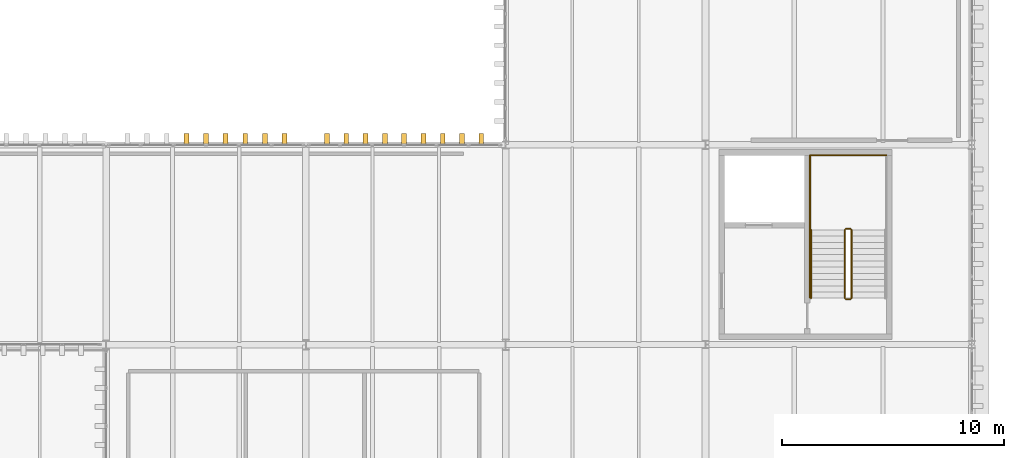
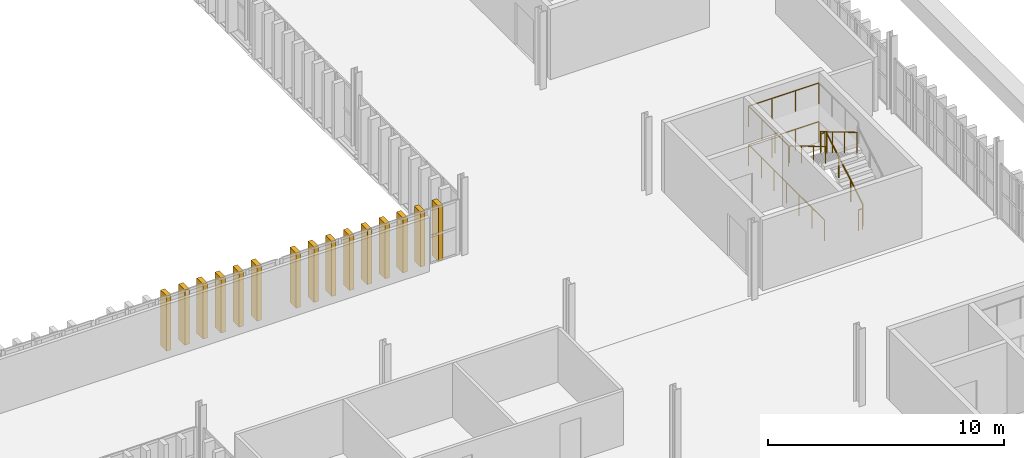
# One storey, part 97 of 102: 15 shading devices, 9 railings.
"""IFC4 building model written with IfcOpenShell, lengths in metres."""

from ifc_helpers import new_model, si_unit, direction, frame, origin, origin_2d, place, context, subcontext, project, spatial, rectangle, circle, extrude, material, type_object, element, save


model = new_model("IFC4")

# Units and contexts
model_context = context("Model", 3, precision=1e-05, world=origin(), true_north=direction((0.0, 1.0)))
body_context = subcontext(model_context, "Body", "Model", "MODEL_VIEW")
ifc_project = project(units=[si_unit("LENGTHUNIT", "METRE"), si_unit("AREAUNIT", "SQUARE_METRE"), si_unit("VOLUMEUNIT", "CUBIC_METRE"), si_unit("PLANEANGLEUNIT", "RADIAN"), si_unit("MASSUNIT", "GRAM", prefix="KILO")], contexts=[model_context])

# Site, building, storey
site_placement = place(None, origin())
site = spatial("IfcSite", under=ifc_project, at=site_placement, CompositionType="ELEMENT")
building_placement = place(site_placement, origin())
building = spatial("IfcBuilding", under=site, at=building_placement, Name="Barlavento Convention Centre", CompositionType="ELEMENT")
storey_placement = place(building_placement, frame((0.0, 0.0, 22.800048828125)))
storey = spatial("IfcBuildingStorey", under=building, at=storey_placement, Name="L04", CompositionType="ELEMENT", Elevation=22.800048828125)

# Railings
ifc_material_1 = material(Name="Stainless steel and laminated glass balustrade", Category="steel")
railing_type_1 = type_object("IfcRailingType", Name="ARC-RAL-BAL-1100", PredefinedType="BALUSTRADE", material=ifc_material_1)
railing_1_placement = place(storey_placement, frame((186.580078125, 56.090087890625, 0.16650390625)))
element("IfcRailing", 1, at=railing_1_placement, inside=storey, type_object=railing_type_1, Name="L04 ST05 stair guard 1", PredefinedType="BALUSTRADE", context=body_context, shape_type="SweptSolid", body=[
    extrude(circle(Radius=0.02392578125, at=origin_2d()), frame((0.0, 0.0, 1.076171875), z_axis=(0.0, 0.859260807169, 0.511537745687), x_axis=(-1.0, 0.0, 0.0)), (0.0, 0.0, 1.0), 3.584228515625),
    extrude(circle(Radius=0.02099609375, at=origin_2d()), origin(), (0.0, 0.0, 1.0), 1.052001953125),
    extrude(circle(Radius=0.02099609375, at=origin_2d()), frame((0.0, 1.026611328125, 0.611083984375)), (0.0, 0.0, 1.0), 1.052001953125),
    extrude(circle(Radius=0.02099609375, at=origin_2d()), frame((0.0, 2.05322265625, 1.222412109375)), (0.0, 0.0, 1.0), 1.052001953125),
    extrude(circle(Radius=0.02099609375, at=origin_2d()), frame((0.0, 3.079833984375, 1.83349609375)), (0.0, 0.0, 1.0), 1.052001953125),
])
railing_2_placement = place(storey_placement, frame((186.530029296875, 59.219970703125, 2.0)))
element("IfcRailing", 2, at=railing_2_placement, inside=storey, type_object=railing_type_1, Name="L04 ST05 stair guard 2", PredefinedType="BALUSTRADE", context=body_context, shape_type="SweptSolid", body=[
    extrude(circle(Radius=0.02392578125, at=origin_2d()), frame((0.0, 0.0, 1.076171875), z_axis=(-1.0, 0.0, 0.0), x_axis=(0.0, -1.0, 0.0)), (0.0, 0.0, 1.0), 0.199951171875),
    extrude(circle(Radius=0.02099609375, at=origin_2d()), origin(), (0.0, 0.0, 1.0), 1.052001953125),
    extrude(circle(Radius=0.02099609375, at=origin_2d()), frame((-0.199951171875, 0.0, 0.0)), (0.0, 0.0, 1.0), 1.052001953125),
])
railing_3_placement = place(storey_placement, frame((186.280029296875, 59.169921875, 2.16650390625)))
element("IfcRailing", 3, at=railing_3_placement, inside=storey, type_object=railing_type_1, Name="L04 ST05 stair guard 3", PredefinedType="BALUSTRADE", context=body_context, shape_type="SweptSolid", body=[
    extrude(circle(Radius=0.02392578125, at=origin_2d()), frame((0.0, 0.0, 1.076171875), z_axis=(0.0, -0.859260807169, 0.511537745687), x_axis=(1.0, 0.0, 0.0)), (0.0, 0.0, 1.0), 3.584228515625),
    extrude(circle(Radius=0.02099609375, at=origin_2d()), origin(), (0.0, 0.0, 1.0), 1.052001953125),
    extrude(circle(Radius=0.02099609375, at=origin_2d()), frame((0.0, -1.026611328125, 0.611083984375)), (0.0, 0.0, 1.0), 1.052001953125),
    extrude(circle(Radius=0.02099609375, at=origin_2d()), frame((0.0, -2.05322265625, 1.222412109375)), (0.0, 0.0, 1.0), 1.052001953125),
    extrude(circle(Radius=0.02099609375, at=origin_2d()), frame((0.0, -3.079833984375, 1.83349609375)), (0.0, 0.0, 1.0), 1.052001953125),
])
railing_4_placement = place(storey_placement, frame((186.530029296875, 56.0400390625, 0.0)))
element("IfcRailing", 4, at=railing_4_placement, inside=storey, type_object=railing_type_1, Name="L04 ST05 stair guard 4", PredefinedType="BALUSTRADE", context=body_context, shape_type="SweptSolid", body=[
    extrude(circle(Radius=0.02392578125, at=origin_2d()), frame((0.0, 0.0, 1.076171875), z_axis=(-1.0, 0.0, 0.0), x_axis=(0.0, -1.0, 0.0)), (0.0, 0.0, 1.0), 0.199951171875),
    extrude(circle(Radius=0.02099609375, at=origin_2d()), origin(), (0.0, 0.0, 1.0), 1.052001953125),
    extrude(circle(Radius=0.02099609375, at=origin_2d()), frame((-0.199951171875, 0.0, 0.0)), (0.0, 0.0, 1.0), 1.052001953125),
])
railing_5_placement = place(storey_placement, frame((184.7099609375, 59.169921875, 2.0)))
element("IfcRailing", 5, at=railing_5_placement, inside=storey, type_object=railing_type_1, Name="L04 landing guard GR01", PredefinedType="BALUSTRADE", context=body_context, shape_type="SweptSolid", body=[
    extrude(circle(Radius=0.02392578125, at=origin_2d()), frame((0.0, 0.0, 1.076171875), z_axis=(0.0, 1.0, 0.0), x_axis=(-1.0, 0.0, 0.0)), (0.0, 0.0, 1.0), 3.360107421875),
    extrude(circle(Radius=0.02099609375, at=origin_2d()), origin(), (0.0, 0.0, 1.0), 1.052001953125),
    extrude(circle(Radius=0.02099609375, at=origin_2d()), frame((0.0, 1.1201171875, 0.0)), (0.0, 0.0, 1.0), 1.052001953125),
    extrude(circle(Radius=0.02099609375, at=origin_2d()), frame((0.0, 2.239990234375, 0.0)), (0.0, 0.0, 1.0), 1.052001953125),
    extrude(circle(Radius=0.02099609375, at=origin_2d()), frame((0.0, 3.360107421875, 0.0)), (0.0, 0.0, 1.0), 1.052001953125),
])
for number, where, name in (
    (6, (188.14990234375, 62.530029296875, 2.0), "L04 landing guard GR01"),
    (7, (188.14990234375, 62.530029296875, 0.0), "L04 stairwell perimeter guard GR01"),
):
    element("IfcRailing", number, at=place(storey_placement, frame(where)), inside=storey, type_object=railing_type_1, Name=name, PredefinedType="BALUSTRADE", context=body_context, shape_type="SweptSolid", body=[
        extrude(circle(Radius=0.02392578125, at=origin_2d()), frame((0.0, 0.0, 1.076171875), z_axis=(-1.0, 0.0, 0.0), x_axis=(0.0, -1.0, 0.0)), (0.0, 0.0, 1.0), 3.43994140625),
        extrude(circle(Radius=0.02099609375, at=origin_2d()), origin(), (0.0, 0.0, 1.0), 1.052001953125),
        extrude(circle(Radius=0.02099609375, at=origin_2d()), frame((-1.146728515625, 0.0, 0.0)), (0.0, 0.0, 1.0), 1.052001953125),
        extrude(circle(Radius=0.02099609375, at=origin_2d()), frame((-2.293212890625, 0.0, 0.0)), (0.0, 0.0, 1.0), 1.052001953125),
        extrude(circle(Radius=0.02099609375, at=origin_2d()), frame((-3.43994140625, 0.0, 0.0)), (0.0, 0.0, 1.0), 1.052001953125),
    ])
railing_6_placement = place(storey_placement, frame((184.7099609375, 62.530029296875, 0.0)))
element("IfcRailing", 8, at=railing_6_placement, inside=storey, type_object=railing_type_1, Name="L04 stairwell perimeter guard GR01", PredefinedType="BALUSTRADE", context=body_context, shape_type="SweptSolid", body=[
    extrude(circle(Radius=0.02392578125, at=origin_2d()), frame((0.0, 0.0, 1.076171875), z_axis=(0.0, -1.0, 0.0), x_axis=(1.0, 0.0, 0.0)), (0.0, 0.0, 1.0), 6.4150390625),
    extrude(circle(Radius=0.02099609375, at=origin_2d()), origin(), (0.0, 0.0, 1.0), 1.052001953125),
    extrude(circle(Radius=0.02099609375, at=origin_2d()), frame((0.0, -1.069091796875, 0.0)), (0.0, 0.0, 1.0), 1.052001953125),
    extrude(circle(Radius=0.02099609375, at=origin_2d()), frame((0.0, -2.138427734375, 0.0)), (0.0, 0.0, 1.0), 1.052001953125),
    extrude(circle(Radius=0.02099609375, at=origin_2d()), frame((0.0, -3.20751953125, 0.0)), (0.0, 0.0, 1.0), 1.052001953125),
    extrude(circle(Radius=0.02099609375, at=origin_2d()), frame((0.0, -4.276611328125, 0.0)), (0.0, 0.0, 1.0), 1.052001953125),
    extrude(circle(Radius=0.02099609375, at=origin_2d()), frame((0.0, -5.345947265625, 0.0)), (0.0, 0.0, 1.0), 1.052001953125),
    extrude(circle(Radius=0.02099609375, at=origin_2d()), frame((0.0, -6.4150390625, 0.0)), (0.0, 0.0, 1.0), 1.052001953125),
])
ifc_material_2 = material(Name="Brushed stainless steel tubular handrail", Category="steel")
railing_type_2 = type_object("IfcRailingType", Name="ARC-RAL-HR-900", PredefinedType="HANDRAIL", material=ifc_material_2)
railing_7_placement = place(storey_placement, frame((184.760009765625, 59.169921875, 2.16650390625)))
element("IfcRailing", 9, at=railing_7_placement, inside=storey, type_object=railing_type_2, Name="L04 ST05 stair handrail 2", PredefinedType="HANDRAIL", context=body_context, shape_type="SweptSolid", body=[
    extrude(circle(Radius=0.02392578125, at=origin_2d()), frame((0.0, 0.0, 0.8759765625), z_axis=(0.0, -0.859260807169, 0.511537745687), x_axis=(1.0, 0.0, 0.0)), (0.0, 0.0, 1.0), 3.584228515625),
    extrude(circle(Radius=0.02099609375, at=origin_2d()), origin(), (0.0, 0.0, 1.0), 0.851806640625),
    extrude(circle(Radius=0.02099609375, at=origin_2d()), frame((0.0, -1.026611328125, 0.611083984375)), (0.0, 0.0, 1.0), 0.851806640625),
    extrude(circle(Radius=0.02099609375, at=origin_2d()), frame((0.0, -2.05322265625, 1.222412109375)), (0.0, 0.0, 1.0), 0.851806640625),
    extrude(circle(Radius=0.02099609375, at=origin_2d()), frame((0.0, -3.079833984375, 1.83349609375)), (0.0, 0.0, 1.0), 0.851806640625),
])

# Shading devices
ifc_material_3 = material(Name="PVDF white extruded aluminium", Category="aluminium")
shading_device_type = type_object("IfcShadingDeviceType", Name="ARC-SHD-FIN-480", PredefinedType="USERDEFINED", material=ifc_material_3)
for number, where, z_axis, x_axis, name in (
    (10, (156.615966796875, 63.239990234375, 0.0), (0.0, 0.0, 1.0), (1.0, 0.0, 0.0), "White vertical solar shading fin VF01"),
    (11, (157.5, 63.239990234375, 0.0), (0.0, 0.0, 1.0), (1.0, 0.0, 0.0), "White vertical solar shading fin VF01"),
    (12, (158.384033203125, 63.239990234375, 0.0), (0.0, 0.0, 1.0), (1.0, 0.0, 0.0), "White vertical solar shading fin VF01"),
    (13, (159.26806640625, 63.239990234375, 0.0), (0.0, 0.0, 1.0), (1.0, 0.0, 0.0), "White vertical solar shading fin VF01"),
    (14, (160.152099609375, 63.239990234375, 0.0), (0.0, 0.0, 1.0), (1.0, 0.0, 0.0), "White vertical solar shading fin VF01"),
    (15, (161.035888671875, 63.239990234375, 0.0), (0.0, 0.0, 1.0), (1.0, 0.0, 0.0), "White vertical solar shading fin VF01"),
    (16, (162.948974609375, 63.239990234375, 0.0), (0.0, 0.0, 1.0), (1.0, 0.0, 0.0), "White vertical solar shading fin VF01"),
    (17, (163.818115234375, 63.239990234375, 0.0), (0.0, 0.0, 1.0), (1.0, 0.0, 0.0), "White vertical solar shading fin VF01"),
    (18, (164.68701171875, 63.239990234375, 0.0), (0.0, 0.0, 1.0), (1.0, 0.0, 0.0), "White vertical solar shading fin VF01"),
    (19, (165.555908203125, 63.239990234375, 0.0), (0.0, 0.0, 1.0), (1.0, 0.0, 0.0), "White vertical solar shading fin VF01"),
    (20, (166.425048828125, 63.239990234375, 0.0), (0.0, 0.0, 1.0), (1.0, 0.0, 0.0), "White vertical solar shading fin VF01"),
    (21, (167.2939453125, 63.239990234375, 0.0), (0.0, 0.0, 1.0), (1.0, 0.0, 0.0), "White vertical solar shading fin VF01"),
    (22, (168.1630859375, 63.239990234375, 0.0), (0.0, 0.0, 1.0), (1.0, 0.0, 0.0), "White vertical solar shading fin VF01"),
    (23, (169.031982421875, 63.239990234375, 0.0), (0.0, 0.0, 1.0), (1.0, 0.0, 0.0), "White vertical solar shading fin VF01"),
    (24, (169.90087890625, 63.239990234375, 0.0), (0.0, 0.0, 1.0), (1.0, 0.0, 0.0), "White vertical solar shading fin VF01"),
):
    element("IfcShadingDevice", number, at=place(storey_placement, frame(where, z_axis=z_axis, x_axis=x_axis)), inside=storey, type_object=shading_device_type, Name=name, ObjectType="FIN", PredefinedType="USERDEFINED", context=body_context, shape_type="SweptSolid", body=[
        extrude(rectangle(XDim=0.219970703125, YDim=0.52001953125, at=origin_2d()), origin(), (0.0, 0.0, 1.0), 2.85009765625),
    ])

save(model, "model.ifc")
